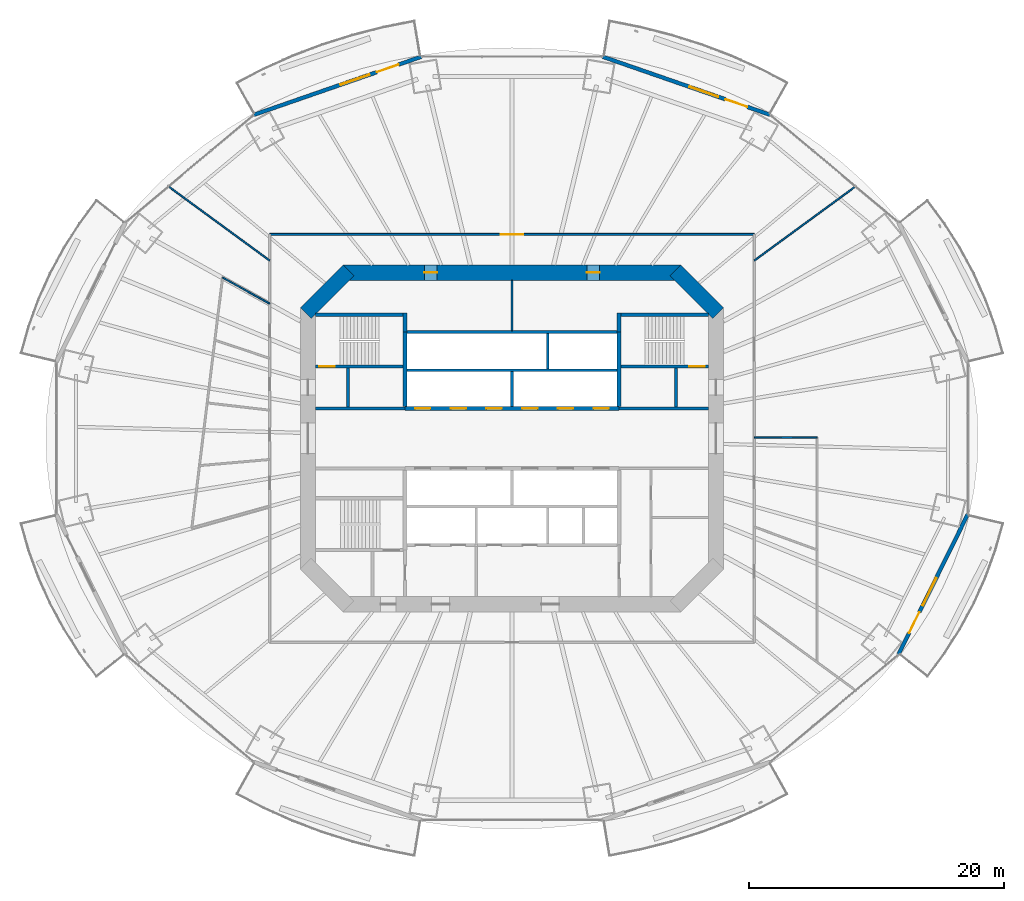
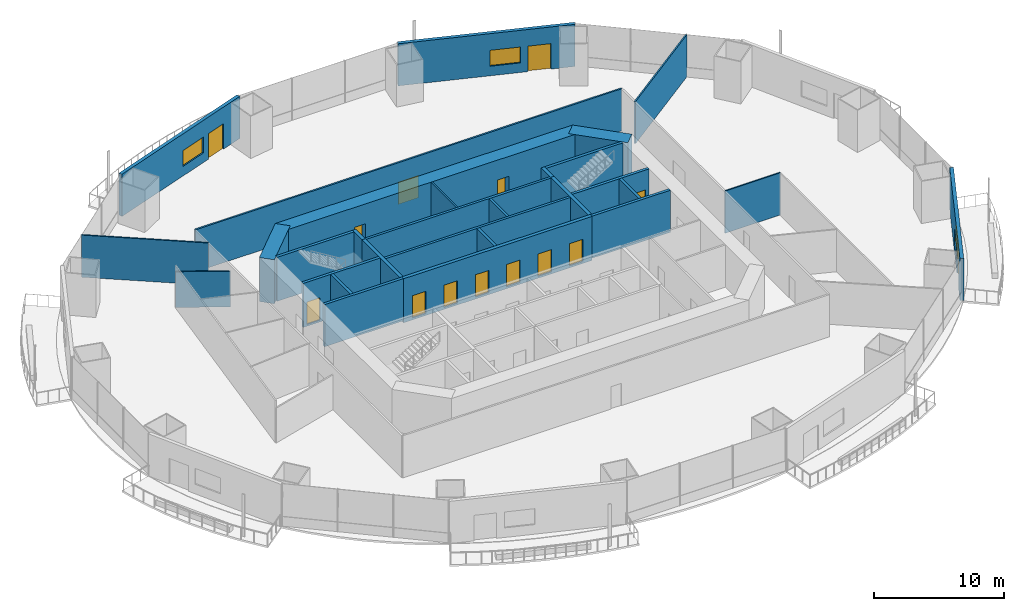
# One storey, part 16 of 23: 29 walls, 14 doors, 3 windows, 17 openings.
"""IFC4 building model written with IfcOpenShell, lengths in metres."""

import ifcopenshell
import ifcopenshell.guid

model = None  # the IFC model being written
_history = None  # IfcOwnerHistory: only IFC2X3 demands one
_inside = {}  # id of a spatial element -> (the spatial element, [elements in it])
_under = {}  # id of a project, library or spatial element -> (it, [spatial elements below it])
_declared = {}  # id of a project -> (the project, [libraries it declares])
_typed = {}  # id of a type object -> (the type object, [elements of that type])
_made_of = {}  # id of a material, layer set ... -> (it, [elements and type objects made of it])


def new_model(schema):
    """Start an empty IFC model of exactly this schema.

    Asked for "IFC4X3", IfcOpenShell would pick the latest addendum, in which some entities
    have other attributes; the version numbers below select the first issue.
    IFC2X3 requires an IfcOwnerHistory on every rooted entity: one is made here for all.
    """
    global model, _history
    if schema == "IFC4X3":
        model = ifcopenshell.file(schema_version=(4, 3, 0, 0))
    else:
        model = ifcopenshell.file(schema=schema)
    _inside.clear()
    _under.clear()
    _declared.clear()
    _typed.clear()
    _made_of.clear()
    _history = None
    if model.schema == "IFC2X3":
        org = make("IfcOrganization", Name="unknown")
        user = make(
            "IfcPersonAndOrganization",
            ThePerson=make("IfcPerson", FamilyName="unknown"),
            TheOrganization=org,
        )
        app = make(
            "IfcApplication",
            ApplicationDeveloper=org,
            Version="unknown",
            ApplicationFullName="unknown",
            ApplicationIdentifier="unknown",
        )
        _history = make(
            "IfcOwnerHistory",
            OwningUser=user,
            OwningApplication=app,
            ChangeAction="ADDED",
            CreationDate=0,
        )
    return model


def make(cls, **values):
    """One entity of the class cls with the attributes given. An attribute that is None is left unset."""
    return model.create_entity(
        cls, **{name: value for name, value in values.items() if value is not None}
    )


def rooted(cls, **values):
    """An entity with a GlobalId (a new one), such as an element, a storey or a relation."""
    return make(cls, GlobalId=ifcopenshell.guid.new(), OwnerHistory=_history, **values)


def si_unit(unit_type, name, prefix=None):
    """IfcSIUnit, for example si_unit("LENGTHUNIT", "METRE", prefix="MILLI")."""
    return make("IfcSIUnit", UnitType=unit_type, Prefix=prefix, Name=name)


def assignment(units):
    """IfcUnitAssignment: the units of a project."""
    return None if units is None else make("IfcUnitAssignment", Units=units)


def point(xyz):
    """IfcCartesianPoint."""
    return None if xyz is None else make("IfcCartesianPoint", Coordinates=xyz)


def direction(xyz):
    """IfcDirection."""
    return None if xyz is None else make("IfcDirection", DirectionRatios=xyz)


def frame(location, z_axis=None, x_axis=None):
    """IfcAxis2Placement3D, a coordinate frame: its origin and axes. An axis left out is left unset."""
    return make(
        "IfcAxis2Placement3D",
        Location=point(location),
        Axis=direction(z_axis),
        RefDirection=direction(x_axis),
    )


def frame_2d(location, x_axis=None):
    """IfcAxis2Placement2D, a coordinate frame in the plane: its origin and x axis."""
    return make(
        "IfcAxis2Placement2D", Location=point(location), RefDirection=direction(x_axis)
    )


def origin():
    """The frame at (0, 0, 0) with its axes left unset."""
    return frame((0.0, 0.0, 0.0))


def place(relative_to, where):
    """IfcLocalPlacement: puts the frame where relative to a parent placement (None: the world)."""
    return make(
        "IfcLocalPlacement", PlacementRelTo=relative_to, RelativePlacement=where
    )


def context(
    kind, dimensions, precision=None, world=None, true_north=None, identifier=None
):
    """IfcGeometricRepresentationContext, for example the 3D "Model" context."""
    return make(
        "IfcGeometricRepresentationContext",
        ContextIdentifier=identifier,
        ContextType=kind,
        CoordinateSpaceDimension=dimensions,
        Precision=precision,
        WorldCoordinateSystem=world,
        TrueNorth=true_north,
    )


def subcontext(parent, identifier, kind, view, scale=None):
    """IfcGeometricRepresentationSubContext, for example "Body" below "Model"."""
    return make(
        "IfcGeometricRepresentationSubContext",
        ContextIdentifier=identifier,
        ContextType=kind,
        ParentContext=parent,
        TargetScale=scale,
        TargetView=view,
    )


def project(units=None, contexts=None):
    """IfcProject with its units and contexts."""
    return rooted(
        "IfcProject",
        Name="project",
        RepresentationContexts=contexts,
        UnitsInContext=assignment(units),
    )


def spatial(cls, under=None, at=None, **own):
    """A site, building, storey or space (cls), placed at a placement, below another one or the project."""
    s = rooted(cls, ObjectPlacement=at, **own)
    if under is not None:
        _under.setdefault(under.id(), (under, []))[1].append(s)
    return s


def profile(cls, at=None, kind="AREA", **sizes):
    """A parametric profile (cls). Its sizes go by their IFC names, for example OverallWidth=200.0."""
    return make(cls, ProfileType=kind, Position=at, **sizes)


def rectangle(**sizes):
    """IfcRectangleProfileDef."""
    return profile("IfcRectangleProfileDef", **sizes)


def extrude(swept, where, along, depth):
    """IfcExtrudedAreaSolid: the profile swept, set in the frame where, extruded along a direction by depth."""
    return make(
        "IfcExtrudedAreaSolid",
        SweptArea=swept,
        Position=where,
        ExtrudedDirection=direction(along),
        Depth=depth,
    )


def shape(context_of_items, identifier, shape_type, items):
    """IfcShapeRepresentation: the items that make up one representation, for example the "Body"."""
    return make(
        "IfcShapeRepresentation",
        ContextOfItems=context_of_items,
        RepresentationIdentifier=identifier,
        RepresentationType=shape_type,
        Items=items,
    )


def material(Name=None, Category=None):
    """IfcMaterial."""
    return make("IfcMaterial", Name=Name, Category=Category)


def layer(
    of_material, thickness, ventilated=None, Name=None, Category=None, Priority=None
):
    """IfcMaterialLayer: one layer of a wall or slab, of a material (None: an air gap)."""
    return make(
        "IfcMaterialLayer",
        Material=of_material,
        LayerThickness=thickness,
        IsVentilated=ventilated,
        Name=Name,
        Category=Category,
        Priority=Priority,
    )


def layer_set(layers, Name=None):
    """IfcMaterialLayerSet."""
    return make("IfcMaterialLayerSet", MaterialLayers=layers, LayerSetName=Name)


def made_of(thing, what):
    """Note that an element or type object is made of a material, layer set ...; save() writes the relation."""
    if what is not None:
        _made_of.setdefault(what.id(), (what, []))[1].append(thing)
    return thing


def type_object(cls, material=None, **own):
    """A type object (cls), such as IfcWallType, which elements share."""
    return made_of(rooted(cls, **own), material)


def element(
    cls,
    number,
    at=None,
    inside=None,
    cuts=None,
    type_object=None,
    material=None,
    context=None,
    identifier="Body",
    shape_type=None,
    held_by="IfcProductDefinitionShape",
    body=None,
    shapes=None,
    **own,
):
    """One element of the class cls, such as IfcWall. Its Tag is "e" and its number.

    at: its placement. inside: the storey or other place that contains it. cuts: it is an
    opening in that element (IfcRelVoidsElement). A single representation is given by context,
    identifier, shape_type and body (its items); several are given by shapes. held_by: the class
    of the entity that holds the representations. save() writes the other relations.
    """
    e = rooted(cls, Tag="e%d" % number, ObjectPlacement=at, **own)
    if body is not None:
        shapes = [shape(context, identifier, shape_type, body)]
    if shapes is not None:
        e.Representation = make(held_by, Representations=shapes)
    if inside is not None:
        _inside.setdefault(inside.id(), (inside, []))[1].append(e)
    if cuts is not None:
        rooted(
            "IfcRelVoidsElement", RelatingBuildingElement=cuts, RelatedOpeningElement=e
        )
    if type_object is not None:
        _typed.setdefault(type_object.id(), (type_object, []))[1].append(e)
    return made_of(e, material)


def fill(opening, filler):
    """IfcRelFillsElement: the door or window that sits in an opening."""
    return rooted(
        "IfcRelFillsElement",
        RelatingOpeningElement=opening,
        RelatedBuildingElement=filler,
    )


def aggregate(whole, parts):
    """IfcRelAggregates: a whole, such as a stair, and the parts it consists of."""
    return rooted("IfcRelAggregates", RelatingObject=whole, RelatedObjects=parts)


def save(model, path):
    """Write the relations noted so far, then the file.

    IfcRelAggregates (storeys below a building ...), IfcRelContainedInSpatialStructure (elements
    in a storey), IfcRelDefinesByType, IfcRelAssociatesMaterial and IfcRelDeclares: one each for
    every whole, place, type object, material and project.
    """
    for whole, parts in _under.values():
        aggregate(whole, parts)
    for where, things in _inside.values():
        rooted(
            "IfcRelContainedInSpatialStructure",
            RelatedElements=things,
            RelatingStructure=where,
        )
    for kind, things in _typed.values():
        rooted("IfcRelDefinesByType", RelatedObjects=things, RelatingType=kind)
    for what, things in _made_of.values():
        rooted("IfcRelAssociatesMaterial", RelatedObjects=things, RelatingMaterial=what)
    for by, libraries in _declared.values():
        rooted("IfcRelDeclares", RelatingContext=by, RelatedDefinitions=libraries)
    model.write(path)


model = new_model("IFC4")

# Units and contexts
model_context = context("Model", 3, precision=1e-05, world=origin(), true_north=direction((0.0, 1.0)))
body_context = subcontext(model_context, "Body", "Model", "MODEL_VIEW")
ifc_project = project(units=[si_unit("LENGTHUNIT", "METRE"), si_unit("AREAUNIT", "SQUARE_METRE"), si_unit("VOLUMEUNIT", "CUBIC_METRE"), si_unit("PLANEANGLEUNIT", "RADIAN"), si_unit("MASSUNIT", "GRAM", prefix="KILO")], contexts=[model_context])

# Site, building, storey
site_placement = place(None, origin())
site = spatial("IfcSite", under=ifc_project, at=site_placement, CompositionType="ELEMENT")
building_placement = place(site_placement, origin())
building = spatial("IfcBuilding", under=site, at=building_placement, Name="Marenthal Gate Tower", CompositionType="ELEMENT")
storey_placement = place(building_placement, frame((0.0, 0.0, 45.449951171875)))
storey = spatial("IfcBuildingStorey", under=building, at=storey_placement, Name="L07", CompositionType="ELEMENT", Elevation=45.449951171875)

# Wall
ifc_material_1 = material(Name="Concrete 60 MPa", Category="concrete")
ifc_layer_1 = layer(ifc_material_1, 1.199951171875)
ifc_layer_set_1 = layer_set([ifc_layer_1], Name="Core shear wall 1200")
wall_type_1 = type_object("IfcWallType", Name="Core shear wall 1200", PredefinedType="SHEAR", material=ifc_layer_set_1)
wall_1_placement = place(storey_placement, frame((16.17578125, 9.82421875, -0.179931640625), z_axis=(0.0, 0.0, 1.0), x_axis=(-0.707106781187, 0.707106781187, 0.0)))
element("IfcWall", 1, at=wall_1_placement, inside=storey, type_object=wall_type_1, Name="Core wall 03", PredefinedType="SHEAR", context=body_context, shape_type="SweptSolid", body=[
    extrude(rectangle(XDim=4.73974609375, YDim=1.199951171875, at=frame_2d((2.369873046875, 0.0))), origin(), (0.0, 0.0, 1.0), 4.14990234375),
])

# Wall, openings, doors
wall_2_placement = place(storey_placement, frame((13.24853515625, 13.0, -0.179931640625), z_axis=(0.0, 0.0, 1.0), x_axis=(-1.0, 0.0, 0.0)))
wall_2 = element("IfcWall", 2, at=wall_2_placement, inside=storey, type_object=wall_type_1, Name="Core wall 04", PredefinedType="SHEAR", context=body_context, shape_type="SweptSolid", body=[
    extrude(rectangle(XDim=26.4970703125, YDim=1.199951171875, at=frame_2d((13.24853515625, 0.0))), origin(), (0.0, 0.0, 1.0), 4.14990234375),
])
opening_1_placement = place(wall_2_placement, frame((19.12451171875, 0.0, 0.179931640625)))
opening_1 = element("IfcOpeningElement", 3, at=opening_1_placement, cuts=wall_2, Name="Opening D005.01", PredefinedType="OPENING", context=body_context, shape_type="SweptSolid", body=[
    extrude(rectangle(XDim=1.0, YDim=2.10009765625, at=frame_2d((0.5, 1.050048828125))), frame((0.0, 0.60986328125, 0.0), z_axis=(0.0, -1.0, 0.0), x_axis=(1.0, 0.0, 0.0)), (0.0, 0.0, 1.0), 1.219970703125),
])
opening_2_placement = place(wall_2_placement, frame((6.37255859375, 0.0, 0.179931640625)))
opening_2 = element("IfcOpeningElement", 4, at=opening_2_placement, cuts=wall_2, Name="Opening D005.02", PredefinedType="OPENING", context=body_context, shape_type="SweptSolid", body=[
    extrude(rectangle(XDim=1.0, YDim=2.10009765625, at=frame_2d((0.5, 1.050048828125))), frame((0.0, 0.60986328125, 0.0), z_axis=(0.0, -1.0, 0.0), x_axis=(1.0, 0.0, 0.0)), (0.0, 0.0, 1.0), 1.219970703125),
])
ifc_material_2 = material(Name="Steel fire door", Category="steel")
door_type_1 = type_object("IfcDoorType", Name="Fire door FD 45 1000 x 2100", OperationType="NOTDEFINED", PredefinedType="DOOR", material=ifc_material_2)
door_1_placement = place(opening_1_placement, origin())
door_1 = element("IfcDoor", 5, at=door_1_placement, inside=storey, type_object=door_type_1, Name="Door D005.01", OperationType="SINGLE_SWING_RIGHT", OverallHeight=2.10009765625, OverallWidth=1.0, PredefinedType="DOOR", context=body_context, shape_type="SweptSolid", body=[
    extrude(rectangle(XDim=1.0, YDim=2.10009765625, at=frame_2d((0.5, 1.050048828125))), frame((0.0, 0.02490234375, 0.0), z_axis=(0.0, -1.0, 0.0), x_axis=(1.0, 0.0, 0.0)), (0.0, 0.0, 1.0), 0.050048828125),
])
fill(opening_1, door_1)
door_2_placement = place(opening_2_placement, origin())
door_2 = element("IfcDoor", 6, at=door_2_placement, inside=storey, type_object=door_type_1, Name="Door D005.02", OperationType="SINGLE_SWING_RIGHT", OverallHeight=2.10009765625, OverallWidth=1.0, PredefinedType="DOOR", context=body_context, shape_type="SweptSolid", body=[
    extrude(rectangle(XDim=1.0, YDim=2.10009765625, at=frame_2d((0.5, 1.050048828125))), frame((0.0, 0.02490234375, 0.0), z_axis=(0.0, -1.0, 0.0), x_axis=(1.0, 0.0, 0.0)), (0.0, 0.0, 1.0), 0.050048828125),
])
fill(opening_2, door_2)

# Wall
wall_3_placement = place(storey_placement, frame((-12.82421875, 13.17578125, -0.179931640625), z_axis=(0.0, 0.0, 1.0), x_axis=(-0.707106781187, -0.707106781187, 0.0)))
element("IfcWall", 7, at=wall_3_placement, inside=storey, type_object=wall_type_1, Name="Core wall 05", PredefinedType="SHEAR", context=body_context, shape_type="SweptSolid", body=[
    extrude(rectangle(XDim=4.73974609375, YDim=1.199951171875, at=frame_2d((2.369873046875, 0.0))), origin(), (0.0, 0.0, 1.0), 4.14990234375),
])

# Wall, openings, doors
ifc_material_3 = material(Name="Concrete 50 MPa", Category="concrete")
ifc_layer_2 = layer(ifc_material_3, 0.300048828125)
ifc_layer_set_2 = layer_set([ifc_layer_2], Name="Hoistway shear wall 300")
wall_type_2 = type_object("IfcWallType", Name="Hoistway shear wall 300", PredefinedType="SHEAR", material=ifc_layer_set_2)
wall_4_placement = place(storey_placement, frame((-8.39990234375, 2.35009765625, -0.179931640625), z_axis=(0.0, 0.0, 1.0), x_axis=(1.0, 0.0, 0.0)))
wall_4 = element("IfcWall", 8, at=wall_4_placement, inside=storey, type_object=wall_type_2, Name="Hoistway wall 19", PredefinedType="SHEAR", context=body_context, shape_type="SweptSolid", body=[
    extrude(rectangle(XDim=16.7998046875, YDim=0.300048828125, at=frame_2d((8.39990234375, 0.0))), origin(), (0.0, 0.0, 1.0), 4.14990234375),
])
opening_3_placement = place(wall_4_placement, frame((0.800048828125, 0.0, 0.179931640625)))
opening_3 = element("IfcOpeningElement", 9, at=opening_3_placement, cuts=wall_4, Name="Opening LD-LP1", PredefinedType="OPENING", context=body_context, shape_type="SweptSolid", body=[
    extrude(rectangle(XDim=1.199951171875, YDim=2.10009765625, at=frame_2d((0.60009765625, 1.050048828125))), frame((0.0, 0.16015625, 0.0), z_axis=(0.0, -1.0, 0.0), x_axis=(1.0, 0.0, 0.0)), (0.0, 0.0, 1.0), 0.320068359375),
])
opening_4_placement = place(wall_4_placement, frame((3.60009765625, 0.0, 0.179931640625)))
opening_4 = element("IfcOpeningElement", 10, at=opening_4_placement, cuts=wall_4, Name="Opening LD-LP2", PredefinedType="OPENING", context=body_context, shape_type="SweptSolid", body=[
    extrude(rectangle(XDim=1.199951171875, YDim=2.10009765625, at=frame_2d((0.60009765625, 1.050048828125))), frame((0.0, 0.16015625, 0.0), z_axis=(0.0, -1.0, 0.0), x_axis=(1.0, 0.0, 0.0)), (0.0, 0.0, 1.0), 0.320068359375),
])
opening_5_placement = place(wall_4_placement, frame((6.39990234375, 0.0, 0.179931640625)))
opening_5 = element("IfcOpeningElement", 11, at=opening_5_placement, cuts=wall_4, Name="Opening LD-LP3", PredefinedType="OPENING", context=body_context, shape_type="SweptSolid", body=[
    extrude(rectangle(XDim=1.199951171875, YDim=2.10009765625, at=frame_2d((0.60009765625, 1.050048828125))), frame((0.0, 0.16015625, 0.0), z_axis=(0.0, -1.0, 0.0), x_axis=(1.0, 0.0, 0.0)), (0.0, 0.0, 1.0), 0.320068359375),
])
opening_6_placement = place(wall_4_placement, frame((9.199951171875, 0.0, 0.179931640625)))
opening_6 = element("IfcOpeningElement", 12, at=opening_6_placement, cuts=wall_4, Name="Opening LD-LP4", PredefinedType="OPENING", context=body_context, shape_type="SweptSolid", body=[
    extrude(rectangle(XDim=1.199951171875, YDim=2.10009765625, at=frame_2d((0.60009765625, 1.050048828125))), frame((0.0, 0.16015625, 0.0), z_axis=(0.0, -1.0, 0.0), x_axis=(1.0, 0.0, 0.0)), (0.0, 0.0, 1.0), 0.320068359375),
])
opening_7_placement = place(wall_4_placement, frame((12.0, 0.0, 0.179931640625)))
opening_7 = element("IfcOpeningElement", 13, at=opening_7_placement, cuts=wall_4, Name="Opening LD-LP5", PredefinedType="OPENING", context=body_context, shape_type="SweptSolid", body=[
    extrude(rectangle(XDim=1.199951171875, YDim=2.10009765625, at=frame_2d((0.60009765625, 1.050048828125))), frame((0.0, 0.16015625, 0.0), z_axis=(0.0, -1.0, 0.0), x_axis=(1.0, 0.0, 0.0)), (0.0, 0.0, 1.0), 0.320068359375),
])
opening_8_placement = place(wall_4_placement, frame((14.800048828125, 0.0, 0.179931640625)))
opening_8 = element("IfcOpeningElement", 14, at=opening_8_placement, cuts=wall_4, Name="Opening LD-LP6", PredefinedType="OPENING", context=body_context, shape_type="SweptSolid", body=[
    extrude(rectangle(XDim=1.199951171875, YDim=2.10009765625, at=frame_2d((0.60009765625, 1.050048828125))), frame((0.0, 0.16015625, 0.0), z_axis=(0.0, -1.0, 0.0), x_axis=(1.0, 0.0, 0.0)), (0.0, 0.0, 1.0), 0.320068359375),
])
ifc_material_4 = material(Name="Stainless steel sliding door", Category="steel")
door_type_2 = type_object("IfcDoorType", Name="Lift landing door FD 90 1200 x 2100", OperationType="DOUBLE_DOOR_SLIDING", PredefinedType="DOOR", material=ifc_material_4)
door_3_placement = place(opening_3_placement, origin())
door_3 = element("IfcDoor", 15, at=door_3_placement, inside=storey, type_object=door_type_2, Name="Lift landing door LP1", OperationType="DOUBLE_DOOR_SLIDING", OverallHeight=2.10009765625, OverallWidth=1.199951171875, PredefinedType="DOOR", context=body_context, shape_type="SweptSolid", body=[
    extrude(rectangle(XDim=1.199951171875, YDim=2.10009765625, at=frame_2d((0.60009765625, 1.050048828125))), frame((0.0, 0.02490234375, 0.0), z_axis=(0.0, -1.0, 0.0), x_axis=(1.0, 0.0, 0.0)), (0.0, 0.0, 1.0), 0.050048828125),
])
fill(opening_3, door_3)
door_4_placement = place(opening_4_placement, origin())
door_4 = element("IfcDoor", 16, at=door_4_placement, inside=storey, type_object=door_type_2, Name="Lift landing door LP2", OperationType="DOUBLE_DOOR_SLIDING", OverallHeight=2.10009765625, OverallWidth=1.199951171875, PredefinedType="DOOR", context=body_context, shape_type="SweptSolid", body=[
    extrude(rectangle(XDim=1.199951171875, YDim=2.10009765625, at=frame_2d((0.60009765625, 1.050048828125))), frame((0.0, 0.02490234375, 0.0), z_axis=(0.0, -1.0, 0.0), x_axis=(1.0, 0.0, 0.0)), (0.0, 0.0, 1.0), 0.050048828125),
])
fill(opening_4, door_4)
door_5_placement = place(opening_5_placement, origin())
door_5 = element("IfcDoor", 17, at=door_5_placement, inside=storey, type_object=door_type_2, Name="Lift landing door LP3", OperationType="DOUBLE_DOOR_SLIDING", OverallHeight=2.10009765625, OverallWidth=1.199951171875, PredefinedType="DOOR", context=body_context, shape_type="SweptSolid", body=[
    extrude(rectangle(XDim=1.199951171875, YDim=2.10009765625, at=frame_2d((0.60009765625, 1.050048828125))), frame((0.0, 0.02490234375, 0.0), z_axis=(0.0, -1.0, 0.0), x_axis=(1.0, 0.0, 0.0)), (0.0, 0.0, 1.0), 0.050048828125),
])
fill(opening_5, door_5)
door_6_placement = place(opening_6_placement, origin())
door_6 = element("IfcDoor", 18, at=door_6_placement, inside=storey, type_object=door_type_2, Name="Lift landing door LP4", OperationType="DOUBLE_DOOR_SLIDING", OverallHeight=2.10009765625, OverallWidth=1.199951171875, PredefinedType="DOOR", context=body_context, shape_type="SweptSolid", body=[
    extrude(rectangle(XDim=1.199951171875, YDim=2.10009765625, at=frame_2d((0.60009765625, 1.050048828125))), frame((0.0, 0.02490234375, 0.0), z_axis=(0.0, -1.0, 0.0), x_axis=(1.0, 0.0, 0.0)), (0.0, 0.0, 1.0), 0.050048828125),
])
fill(opening_6, door_6)
door_7_placement = place(opening_7_placement, origin())
door_7 = element("IfcDoor", 19, at=door_7_placement, inside=storey, type_object=door_type_2, Name="Lift landing door LP5", OperationType="DOUBLE_DOOR_SLIDING", OverallHeight=2.10009765625, OverallWidth=1.199951171875, PredefinedType="DOOR", context=body_context, shape_type="SweptSolid", body=[
    extrude(rectangle(XDim=1.199951171875, YDim=2.10009765625, at=frame_2d((0.60009765625, 1.050048828125))), frame((0.0, 0.02490234375, 0.0), z_axis=(0.0, -1.0, 0.0), x_axis=(1.0, 0.0, 0.0)), (0.0, 0.0, 1.0), 0.050048828125),
])
fill(opening_7, door_7)
door_8_placement = place(opening_8_placement, origin())
door_8 = element("IfcDoor", 20, at=door_8_placement, inside=storey, type_object=door_type_2, Name="Lift landing door LP6", OperationType="DOUBLE_DOOR_SLIDING", OverallHeight=2.10009765625, OverallWidth=1.199951171875, PredefinedType="DOOR", context=body_context, shape_type="SweptSolid", body=[
    extrude(rectangle(XDim=1.199951171875, YDim=2.10009765625, at=frame_2d((0.60009765625, 1.050048828125))), frame((0.0, 0.02490234375, 0.0), z_axis=(0.0, -1.0, 0.0), x_axis=(1.0, 0.0, 0.0)), (0.0, 0.0, 1.0), 0.050048828125),
])
fill(opening_8, door_8)

# Walls
for number, where, z_axis, x_axis, name in (
    (21, (-8.39990234375, 2.5, -0.179931640625), (0.0, 0.0, 1.0), (0.0, 1.0, 0.0), "Hoistway wall 31"),
    (22, (8.39990234375, 2.5, -0.179931640625), (0.0, 0.0, 1.0), (0.0, 1.0, 0.0), "Hoistway wall 43"),
):
    element("IfcWall", number, at=place(storey_placement, frame(where, z_axis=z_axis, x_axis=x_axis)), inside=storey, type_object=wall_type_2, Name=name, PredefinedType="SHEAR", context=body_context, shape_type="SweptSolid", body=[
        extrude(rectangle(XDim=5.85009765625, YDim=0.300048828125, at=frame_2d((2.925048828125, 0.0))), origin(), (0.0, 0.0, 1.0), 4.14990234375),
    ])
ifc_material_5 = material(Name="Concrete 40 MPa", Category="concrete")
ifc_layer_3 = layer(ifc_material_5, 0.219970703125)
ifc_layer_set_3 = layer_set([ifc_layer_3], Name="Hoistway wall 220")
wall_type_3 = type_object("IfcWallType", Name="Hoistway wall 220", PredefinedType="STANDARD", material=ifc_layer_set_3)
for number, where, z_axis, x_axis, name in (
    (23, (-8.25, 5.35009765625, 0.0), (0.0, 0.0, 1.0), (1.0, 0.0, 0.0), "Hoistway wall 21"),
    (24, (-8.25, 8.35009765625, 0.0), (0.0, 0.0, 1.0), (1.0, 0.0, 0.0), "Hoistway wall 24"),
):
    element("IfcWall", number, at=place(storey_placement, frame(where, z_axis=z_axis, x_axis=x_axis)), inside=storey, type_object=wall_type_3, Name=name, PredefinedType="STANDARD", context=body_context, shape_type="SweptSolid", body=[
        extrude(rectangle(XDim=16.5, YDim=0.219970703125, at=frame_2d((8.25, 0.0))), origin(), (0.0, 0.0, 1.0), 3.969970703125),
    ])
wall_5_placement = place(storey_placement, frame((0.0, 2.5, 0.0), z_axis=(0.0, 0.0, 1.0), x_axis=(0.0, 1.0, 0.0)))
element("IfcWall", 25, at=wall_5_placement, inside=storey, type_object=wall_type_3, Name="Hoistway wall 36", PredefinedType="STANDARD", context=body_context, shape_type="SweptSolid", body=[
    extrude(rectangle(XDim=2.739990234375, YDim=0.219970703125, at=frame_2d((1.3701171875, 0.0))), origin(), (0.0, 0.0, 1.0), 3.969970703125),
])
wall_6_placement = place(storey_placement, frame((2.800048828125, 5.4599609375, 0.0), z_axis=(0.0, 0.0, 1.0), x_axis=(0.0, 1.0, 0.0)))
element("IfcWall", 26, at=wall_6_placement, inside=storey, type_object=wall_type_3, Name="Hoistway wall 39", PredefinedType="STANDARD", context=body_context, shape_type="SweptSolid", body=[
    extrude(rectangle(XDim=2.780029296875, YDim=0.219970703125, at=frame_2d((1.39013671875, 0.0))), origin(), (0.0, 0.0, 1.0), 3.969970703125),
])
ifc_material_6 = material(Name="Gypsum board on steel studs", Category="steel")
ifc_layer_4 = layer(ifc_material_6, 0.1201171875)
ifc_layer_set_4 = layer_set([ifc_layer_4], Name="Partition 120")
wall_type_4 = type_object("IfcWallType", Name="Partition 120", PredefinedType="PARTITIONING", material=ifc_layer_set_4)
wall_7_placement = place(storey_placement, frame((-22.6953125, 12.618896484375, 0.0), z_axis=(0.0, 0.0, 1.0), x_axis=(0.87398290434, -0.485956667741, 0.0)))
element("IfcWall", 27, at=wall_7_placement, inside=storey, type_object=wall_type_4, Name="Partition wall 51", PredefinedType="PARTITIONING", context=body_context, shape_type="SweptSolid", body=[
    extrude(rectangle(XDim=4.22802734375, YDim=0.1201171875, at=frame_2d((2.114013671875, 0.0))), origin(), (0.0, 0.0, 1.0), 3.358154296875),
])
wall_8_placement = place(storey_placement, frame((-19.0, 13.941162109375, 0.0), z_axis=(0.0, 0.0, 1.0), x_axis=(-0.806231534746, 0.591600128787, 0.0)))
element("IfcWall", 28, at=wall_8_placement, inside=storey, type_object=wall_type_4, Name="Partition wall 54", PredefinedType="PARTITIONING", context=body_context, shape_type="SweptSolid", body=[
    extrude(rectangle(XDim=9.84619140625, YDim=0.1201171875, at=frame_2d((4.923095703125, 0.0))), origin(), (0.0, 0.0, 1.0), 3.969970703125),
])
wall_9_placement = place(storey_placement, frame((19.0, 13.94140625, 0.0), z_axis=(0.0, 0.0, 1.0), x_axis=(0.806243361472, 0.59158401101, 0.0)))
element("IfcWall", 29, at=wall_9_placement, inside=storey, type_object=wall_type_4, Name="Partition wall 58", PredefinedType="PARTITIONING", context=body_context, shape_type="SweptSolid", body=[
    extrude(rectangle(XDim=9.845947265625, YDim=0.1201171875, at=frame_2d((4.9228515625, 0.0))), origin(), (0.0, 0.0, 1.0), 3.969970703125),
])
wall_10_placement = place(storey_placement, frame((23.921630859375, 0.078125, 0.0), z_axis=(0.0, 0.0, 1.0), x_axis=(-0.999994640597, -0.003273954377, 0.0)))
element("IfcWall", 30, at=wall_10_placement, inside=storey, type_object=wall_type_4, Name="Partition wall 62", PredefinedType="PARTITIONING", context=body_context, shape_type="SweptSolid", body=[
    extrude(rectangle(XDim=4.921630859375, YDim=0.1201171875, at=frame_2d((2.4609375, 0.0))), origin(), (0.0, 0.0, 1.0), 3.969970703125),
])
ifc_material_7 = material(Name="Gypsum board on steel studs", Category="steel")
ifc_layer_5 = layer(ifc_material_7, 0.14990234375)
ifc_layer_set_5 = layer_set([ifc_layer_5], Name="Partition 150")
wall_type_5 = type_object("IfcWallType", Name="Partition 150", PredefinedType="PARTITIONING", material=ifc_layer_set_5)
wall_11_placement = place(storey_placement, frame((0.0, 8.4599609375, 0.0), z_axis=(0.0, 0.0, 1.0), x_axis=(0.0, 1.0, 0.0)))
element("IfcWall", 31, at=wall_11_placement, inside=storey, type_object=wall_type_5, Name="Partition wall 37", PredefinedType="PARTITIONING", context=body_context, shape_type="SweptSolid", body=[
    extrude(rectangle(XDim=3.93994140625, YDim=0.14990234375, at=frame_2d((1.969970703125, 0.0))), origin(), (0.0, 0.0, 1.0), 3.969970703125),
])

# Wall, opening, door
wall_12_placement = place(storey_placement, frame((-19.0, 16.0, 0.0), z_axis=(0.0, 0.0, 1.0), x_axis=(1.0, 0.0, 0.0)))
wall_12 = element("IfcWall", 32, at=wall_12_placement, inside=storey, type_object=wall_type_5, Name="Partition wall 55", PredefinedType="PARTITIONING", context=body_context, shape_type="SweptSolid", body=[
    extrude(rectangle(XDim=38.0, YDim=0.14990234375, at=frame_2d((19.0, 0.0))), origin(), (0.0, 0.0, 1.0), 3.969970703125),
])
opening_9_placement = place(wall_12_placement, frame((18.10009765625, 0.0, 0.0)))
opening_9 = element("IfcOpeningElement", 33, at=opening_9_placement, cuts=wall_12, Name="Opening D014.01", PredefinedType="OPENING", context=body_context, shape_type="SweptSolid", body=[
    extrude(rectangle(XDim=1.800048828125, YDim=2.10009765625, at=frame_2d((0.89990234375, 1.050048828125))), frame((0.0, 0.0849609375, 0.0), z_axis=(0.0, -1.0, 0.0), x_axis=(1.0, 0.0, 0.0)), (0.0, 0.0, 1.0), 0.169921875),
])
ifc_material_8 = material(Name="Timber door", Category="wood")
door_type_3 = type_object("IfcDoorType", Name="Double door 1800 x 2100", OperationType="DOUBLE_DOOR_SINGLE_SWING", PredefinedType="DOOR", material=ifc_material_8)
door_9_placement = place(opening_9_placement, origin())
door_9 = element("IfcDoor", 34, at=door_9_placement, inside=storey, type_object=door_type_3, Name="Door D014.01", OperationType="DOUBLE_DOOR_SINGLE_SWING", OverallHeight=2.10009765625, OverallWidth=1.800048828125, PredefinedType="DOOR", context=body_context, shape_type="SweptSolid", body=[
    extrude(rectangle(XDim=1.800048828125, YDim=2.10009765625, at=frame_2d((0.89990234375, 1.050048828125))), frame((0.0, 0.02490234375, 0.0), z_axis=(0.0, -1.0, 0.0), x_axis=(1.0, 0.0, 0.0)), (0.0, 0.0, 1.0), 0.050048828125),
])
fill(opening_9, door_9)

# Walls
ifc_material_9 = material(Name="Concrete 40 MPa", Category="concrete")
ifc_layer_6 = layer(ifc_material_9, 0.25)
ifc_layer_set_6 = layer_set([ifc_layer_6], Name="Stair enclosure wall 250")
wall_type_6 = type_object("IfcWallType", Name="Stair enclosure wall 250", PredefinedType="STANDARD", material=ifc_layer_set_6)
for number, where, z_axis, x_axis, name in (
    (35, (-15.39990234375, 2.35009765625, 0.0), (0.0, 0.0, 1.0), (1.0, 0.0, 0.0), "Stair wall 18"),
    (36, (8.39990234375, 2.35009765625, 0.0), (0.0, 0.0, 1.0), (1.0, 0.0, 0.0), "Stair wall 20"),
):
    element("IfcWall", number, at=place(storey_placement, frame(where, z_axis=z_axis, x_axis=x_axis)), inside=storey, type_object=wall_type_6, Name=name, PredefinedType="STANDARD", context=body_context, shape_type="SweptSolid", body=[
        extrude(rectangle(XDim=7.0, YDim=0.25, at=frame_2d((3.5, 0.0))), origin(), (0.0, 0.0, 1.0), 3.969970703125),
    ])
for number, where, z_axis, x_axis, name in (
    (37, (-12.85009765625, 2.47509765625, 0.0), (0.0, 0.0, 1.0), (0.0, 1.0, 0.0), "Stair wall 27"),
    (38, (12.85009765625, 2.47509765625, 0.0), (0.0, 0.0, 1.0), (0.0, 1.0, 0.0), "Stair wall 46"),
):
    element("IfcWall", number, at=place(storey_placement, frame(where, z_axis=z_axis, x_axis=x_axis)), inside=storey, type_object=wall_type_6, Name=name, PredefinedType="STANDARD", context=body_context, shape_type="SweptSolid", body=[
        extrude(rectangle(XDim=3.0498046875, YDim=0.25, at=frame_2d((1.52490234375, 0.0))), origin(), (0.0, 0.0, 1.0), 3.969970703125),
    ])

# Wall, opening, door
ifc_material_10 = material(Name="Concrete 50 MPa", Category="concrete")
ifc_layer_7 = layer(ifc_material_10, 0.25)
ifc_layer_set_7 = layer_set([ifc_layer_7], Name="Stair shear wall 250")
wall_type_7 = type_object("IfcWallType", Name="Stair shear wall 250", PredefinedType="SHEAR", material=ifc_layer_set_7)
wall_13_placement = place(storey_placement, frame((-15.39990234375, 5.64990234375, -0.179931640625), z_axis=(0.0, 0.0, 1.0), x_axis=(1.0, 0.0, 0.0)))
wall_13 = element("IfcWall", 39, at=wall_13_placement, inside=storey, type_object=wall_type_7, Name="Stair wall 22", PredefinedType="SHEAR", context=body_context, shape_type="SweptSolid", body=[
    extrude(rectangle(XDim=6.849853515625, YDim=0.25, at=frame_2d((3.4248046875, 0.0))), origin(), (0.0, 0.0, 1.0), 4.14990234375),
])
opening_10_placement = place(wall_13_placement, frame((0.300048828125, 0.0, 0.179931640625)))
opening_10 = element("IfcOpeningElement", 40, at=opening_10_placement, cuts=wall_13, Name="Opening D001.01", PredefinedType="OPENING", context=body_context, shape_type="SweptSolid", body=[
    extrude(rectangle(XDim=1.199951171875, YDim=2.10009765625, at=frame_2d((0.60009765625, 1.050048828125))), frame((0.0, 0.135009765625, 0.0), z_axis=(0.0, -1.0, 0.0), x_axis=(1.0, 0.0, 0.0)), (0.0, 0.0, 1.0), 0.27001953125),
])
ifc_material_11 = material(Name="Steel fire door", Category="steel")
door_type_4 = type_object("IfcDoorType", Name="Fire door FD 90 1200 x 2100", OperationType="NOTDEFINED", PredefinedType="DOOR", material=ifc_material_11)
door_10_placement = place(opening_10_placement, origin())
door_10 = element("IfcDoor", 41, at=door_10_placement, inside=storey, type_object=door_type_4, Name="Door D001.01", OperationType="SINGLE_SWING_RIGHT", OverallHeight=2.10009765625, OverallWidth=1.199951171875, PredefinedType="DOOR", context=body_context, shape_type="SweptSolid", body=[
    extrude(rectangle(XDim=1.199951171875, YDim=2.10009765625, at=frame_2d((0.60009765625, 1.050048828125))), frame((0.0, 0.02490234375, 0.0), z_axis=(0.0, -1.0, 0.0), x_axis=(1.0, 0.0, 0.0)), (0.0, 0.0, 1.0), 0.050048828125),
])
fill(opening_10, door_10)

wall_14_placement = place(storey_placement, frame((8.550048828125, 5.64990234375, -0.179931640625), z_axis=(0.0, 0.0, 1.0), x_axis=(1.0, 0.0, 0.0)))
wall_14 = element("IfcWall", 42, at=wall_14_placement, inside=storey, type_object=wall_type_7, Name="Stair wall 23", PredefinedType="SHEAR", context=body_context, shape_type="SweptSolid", body=[
    extrude(rectangle(XDim=6.849853515625, YDim=0.25, at=frame_2d((3.4248046875, 0.0))), origin(), (0.0, 0.0, 1.0), 4.14990234375),
])
opening_11_placement = place(wall_14_placement, frame((5.35009765625, 0.0, 0.179931640625)))
opening_11 = element("IfcOpeningElement", 43, at=opening_11_placement, cuts=wall_14, Name="Opening D001.02", PredefinedType="OPENING", context=body_context, shape_type="SweptSolid", body=[
    extrude(rectangle(XDim=1.199951171875, YDim=2.10009765625, at=frame_2d((0.60009765625, 1.050048828125))), frame((0.0, 0.135009765625, 0.0), z_axis=(0.0, -1.0, 0.0), x_axis=(1.0, 0.0, 0.0)), (0.0, 0.0, 1.0), 0.27001953125),
])
door_11_placement = place(opening_11_placement, origin())
door_11 = element("IfcDoor", 44, at=door_11_placement, inside=storey, type_object=door_type_4, Name="Door D001.02", OperationType="SINGLE_SWING_RIGHT", OverallHeight=2.10009765625, OverallWidth=1.199951171875, PredefinedType="DOOR", context=body_context, shape_type="SweptSolid", body=[
    extrude(rectangle(XDim=1.199951171875, YDim=2.10009765625, at=frame_2d((0.60009765625, 1.050048828125))), frame((0.0, 0.02490234375, 0.0), z_axis=(0.0, -1.0, 0.0), x_axis=(1.0, 0.0, 0.0)), (0.0, 0.0, 1.0), 0.050048828125),
])
fill(opening_11, door_11)

# Walls
for number, where, z_axis, x_axis, name in (
    (45, (-15.39990234375, 9.699951171875, -0.179931640625), (0.0, 0.0, 1.0), (1.0, 0.0, 0.0), "Stair wall 25"),
    (46, (8.550048828125, 9.699951171875, -0.179931640625), (0.0, 0.0, 1.0), (1.0, 0.0, 0.0), "Stair wall 26"),
):
    element("IfcWall", number, at=place(storey_placement, frame(where, z_axis=z_axis, x_axis=x_axis)), inside=storey, type_object=wall_type_7, Name=name, PredefinedType="SHEAR", context=body_context, shape_type="SweptSolid", body=[
        extrude(rectangle(XDim=6.849853515625, YDim=0.25, at=frame_2d((3.4248046875, 0.0))), origin(), (0.0, 0.0, 1.0), 4.14990234375),
    ])
ifc_material_12 = material(Name="Concrete 50 MPa", Category="concrete")
ifc_layer_8 = layer(ifc_material_12, 0.300048828125)
ifc_layer_set_8 = layer_set([ifc_layer_8], Name="Stair shear wall 300")
wall_type_8 = type_object("IfcWallType", Name="Stair shear wall 300", PredefinedType="SHEAR", material=ifc_layer_set_8)
for number, where, z_axis, x_axis, name in (
    (47, (-8.39990234375, 8.35009765625, -0.179931640625), (0.0, 0.0, 1.0), (0.0, 1.0, 0.0), "Stair wall 32"),
    (48, (8.39990234375, 8.35009765625, -0.179931640625), (0.0, 0.0, 1.0), (0.0, 1.0, 0.0), "Stair wall 44"),
):
    element("IfcWall", number, at=place(storey_placement, frame(where, z_axis=z_axis, x_axis=x_axis)), inside=storey, type_object=wall_type_8, Name=name, PredefinedType="SHEAR", context=body_context, shape_type="SweptSolid", body=[
        extrude(rectangle(XDim=1.474853515625, YDim=0.300048828125, at=frame_2d((0.7373046875, 0.0))), origin(), (0.0, 0.0, 1.0), 4.14990234375),
    ])

# Wall, openings, door, window
ifc_material_13 = material(Name="Terracotta cladding on insulated concrete-block backing", Category="masonry")
ifc_layer_9 = layer(ifc_material_13, 0.300048828125)
ifc_layer_set_9 = layer_set([ifc_layer_9], Name="Terracotta facade wall 300")
wall_type_9 = type_object("IfcWallType", Name="Terracotta facade wall 300", PredefinedType="SOLIDWALL", material=ifc_layer_set_9)
wall_15_placement = place(storey_placement, frame((20.243896484375, 25.372314453125, 0.0), z_axis=(0.0, 0.0, 1.0), x_axis=(-0.944772924092, 0.327725680873, 0.0)))
wall_15 = element("IfcWall", 49, at=wall_15_placement, inside=storey, type_object=wall_type_9, Name="Terracotta facade wall L07 bay 3", PredefinedType="SOLIDWALL", context=body_context, shape_type="SweptSolid", body=[
    extrude(rectangle(XDim=13.903076171875, YDim=0.300048828125, at=frame_2d((6.95166015625, 0.0))), origin(), (0.0, 0.0, 1.0), 3.969970703125),
])
opening_12_placement = place(wall_15_placement, frame((1.89990234375, 0.0, 0.0)))
opening_12 = element("IfcOpeningElement", 50, at=opening_12_placement, cuts=wall_15, Name="Opening BD-L07-03", PredefinedType="OPENING", context=body_context, shape_type="SweptSolid", body=[
    extrude(rectangle(XDim=1.800048828125, YDim=2.39990234375, at=frame_2d((0.89990234375, 1.199951171875))), frame((0.0, 0.16015625, 0.0), z_axis=(0.0, -1.0, 0.0), x_axis=(1.0, 0.0, 0.0)), (0.0, 0.0, 1.0), 0.320068359375),
])
opening_13_placement = place(wall_15_placement, frame((4.300048828125, 0.0, 0.89990234375)))
opening_13 = element("IfcOpeningElement", 51, at=opening_13_placement, cuts=wall_15, Name="Opening WN1-L07-03", PredefinedType="OPENING", context=body_context, shape_type="SweptSolid", body=[
    extrude(rectangle(XDim=2.39990234375, YDim=1.5, at=frame_2d((1.199951171875, 0.75))), frame((0.0, 0.16015625, 0.0), z_axis=(0.0, -1.0, 0.0), x_axis=(1.0, 0.0, 0.0)), (0.0, 0.0, 1.0), 0.320068359375),
])
ifc_material_14 = material(Name="Aluminium and glass", Category="aluminium")
door_type_5 = type_object("IfcDoorType", Name="Balcony door 1800x2400", OperationType="DOUBLE_DOOR_SINGLE_SWING", PredefinedType="DOOR", material=ifc_material_14)
door_12_placement = place(opening_12_placement, origin())
door_12 = element("IfcDoor", 52, at=door_12_placement, inside=storey, type_object=door_type_5, Name="Balcony door L07 bay 3", OperationType="SINGLE_SWING_LEFT", OverallHeight=2.39990234375, OverallWidth=1.800048828125, PredefinedType="DOOR", context=body_context, shape_type="SweptSolid", body=[
    extrude(rectangle(XDim=1.800048828125, YDim=2.39990234375, at=frame_2d((0.89990234375, 1.199951171875))), frame((0.0, 0.02490234375, 0.0), z_axis=(0.0, -1.0, 0.0), x_axis=(1.0, 0.0, 0.0)), (0.0, 0.0, 1.0), 0.050048828125),
])
fill(opening_12, door_12)
ifc_material_15 = material(Name="Aluminium and glass", Category="aluminium")
window_type = type_object("IfcWindowType", Name="Window 2400x1500", PartitioningType="TRIPLE_PANEL_VERTICAL", PredefinedType="WINDOW", material=ifc_material_15)
window_1_placement = place(opening_13_placement, origin())
window_1 = element("IfcWindow", 53, at=window_1_placement, inside=storey, type_object=window_type, Name="Window L07 bay 3", OverallHeight=1.5, OverallWidth=2.39990234375, PartitioningType="SINGLE_PANEL", PredefinedType="WINDOW", context=body_context, shape_type="SweptSolid", body=[
    extrude(rectangle(XDim=2.39990234375, YDim=1.5, at=frame_2d((1.199951171875, 0.75))), frame((0.0, 0.030029296875, 0.0), z_axis=(0.0, -1.0, 0.0), x_axis=(1.0, 0.0, 0.0)), (0.0, 0.0, 1.0), 0.06005859375),
])
fill(opening_13, window_1)

wall_16_placement = place(storey_placement, frame((-7.108642578125, 29.9287109375, 0.0), z_axis=(0.0, 0.0, 1.0), x_axis=(-0.944772924092, -0.327725680873, 0.0)))
wall_16 = element("IfcWall", 54, at=wall_16_placement, inside=storey, type_object=wall_type_9, Name="Terracotta facade wall L07 bay 5", PredefinedType="SOLIDWALL", context=body_context, shape_type="SweptSolid", body=[
    extrude(rectangle(XDim=13.903076171875, YDim=0.300048828125, at=frame_2d((6.95166015625, 0.0))), origin(), (0.0, 0.0, 1.0), 3.969970703125),
])
opening_14_placement = place(wall_16_placement, frame((1.89990234375, 0.0, 0.0)))
opening_14 = element("IfcOpeningElement", 55, at=opening_14_placement, cuts=wall_16, Name="Opening BD-L07-05", PredefinedType="OPENING", context=body_context, shape_type="SweptSolid", body=[
    extrude(rectangle(XDim=1.800048828125, YDim=2.39990234375, at=frame_2d((0.89990234375, 1.199951171875))), frame((0.0, 0.16015625, 0.0), z_axis=(0.0, -1.0, 0.0), x_axis=(1.0, 0.0, 0.0)), (0.0, 0.0, 1.0), 0.320068359375),
])
opening_15_placement = place(wall_16_placement, frame((4.300048828125, 0.0, 0.89990234375)))
opening_15 = element("IfcOpeningElement", 56, at=opening_15_placement, cuts=wall_16, Name="Opening WN1-L07-05", PredefinedType="OPENING", context=body_context, shape_type="SweptSolid", body=[
    extrude(rectangle(XDim=2.39990234375, YDim=1.5, at=frame_2d((1.199951171875, 0.75))), frame((0.0, 0.16015625, 0.0), z_axis=(0.0, -1.0, 0.0), x_axis=(1.0, 0.0, 0.0)), (0.0, 0.0, 1.0), 0.320068359375),
])
door_13_placement = place(opening_14_placement, origin())
door_13 = element("IfcDoor", 57, at=door_13_placement, inside=storey, type_object=door_type_5, Name="Balcony door L07 bay 5", OperationType="SINGLE_SWING_LEFT", OverallHeight=2.39990234375, OverallWidth=1.800048828125, PredefinedType="DOOR", context=body_context, shape_type="SweptSolid", body=[
    extrude(rectangle(XDim=1.800048828125, YDim=2.39990234375, at=frame_2d((0.89990234375, 1.199951171875))), frame((0.0, 0.02490234375, 0.0), z_axis=(0.0, -1.0, 0.0), x_axis=(1.0, 0.0, 0.0)), (0.0, 0.0, 1.0), 0.050048828125),
])
fill(opening_14, door_13)
window_2_placement = place(opening_15_placement, origin())
window_2 = element("IfcWindow", 58, at=window_2_placement, inside=storey, type_object=window_type, Name="Window L07 bay 5", OverallHeight=1.5, OverallWidth=2.39990234375, PartitioningType="SINGLE_PANEL", PredefinedType="WINDOW", context=body_context, shape_type="SweptSolid", body=[
    extrude(rectangle(XDim=2.39990234375, YDim=1.5, at=frame_2d((1.199951171875, 0.75))), frame((0.0, 0.030029296875, 0.0), z_axis=(0.0, -1.0, 0.0), x_axis=(1.0, 0.0, 0.0)), (0.0, 0.0, 1.0), 0.06005859375),
])
fill(opening_15, window_2)

wall_17_placement = place(storey_placement, frame((30.297119140625, -16.953125, 0.0), z_axis=(0.0, 0.0, 1.0), x_axis=(0.443341984676, 0.89635254483, 0.0)))
wall_17 = element("IfcWall", 59, at=wall_17_placement, inside=storey, type_object=wall_type_9, Name="Terracotta facade wall L07 bay 15", PredefinedType="SOLIDWALL", context=body_context, shape_type="SweptSolid", body=[
    extrude(rectangle(XDim=12.27197265625, YDim=0.300048828125, at=frame_2d((6.135986328125, 0.0))), origin(), (0.0, 0.0, 1.0), 3.969970703125),
])
opening_16_placement = place(wall_17_placement, frame((1.89990234375, 0.0, 0.0)))
opening_16 = element("IfcOpeningElement", 60, at=opening_16_placement, cuts=wall_17, Name="Opening BD-L07-15", PredefinedType="OPENING", context=body_context, shape_type="SweptSolid", body=[
    extrude(rectangle(XDim=1.800048828125, YDim=2.39990234375, at=frame_2d((0.89990234375, 1.199951171875))), frame((0.0, 0.16015625, 0.0), z_axis=(0.0, -1.0, 0.0), x_axis=(1.0, 0.0, 0.0)), (0.0, 0.0, 1.0), 0.320068359375),
])
opening_17_placement = place(wall_17_placement, frame((4.300048828125, 0.0, 0.89990234375)))
opening_17 = element("IfcOpeningElement", 61, at=opening_17_placement, cuts=wall_17, Name="Opening WN1-L07-15", PredefinedType="OPENING", context=body_context, shape_type="SweptSolid", body=[
    extrude(rectangle(XDim=2.39990234375, YDim=1.5, at=frame_2d((1.199951171875, 0.75))), frame((0.0, 0.16015625, 0.0), z_axis=(0.0, -1.0, 0.0), x_axis=(1.0, 0.0, 0.0)), (0.0, 0.0, 1.0), 0.320068359375),
])
door_14_placement = place(opening_16_placement, origin())
door_14 = element("IfcDoor", 62, at=door_14_placement, inside=storey, type_object=door_type_5, Name="Balcony door L07 bay 15", OperationType="SINGLE_SWING_LEFT", OverallHeight=2.39990234375, OverallWidth=1.800048828125, PredefinedType="DOOR", context=body_context, shape_type="SweptSolid", body=[
    extrude(rectangle(XDim=1.800048828125, YDim=2.39990234375, at=frame_2d((0.89990234375, 1.199951171875))), frame((0.0, 0.02490234375, 0.0), z_axis=(0.0, -1.0, 0.0), x_axis=(1.0, 0.0, 0.0)), (0.0, 0.0, 1.0), 0.050048828125),
])
fill(opening_16, door_14)
window_3_placement = place(opening_17_placement, origin())
window_3 = element("IfcWindow", 63, at=window_3_placement, inside=storey, type_object=window_type, Name="Window L07 bay 15", OverallHeight=1.5, OverallWidth=2.39990234375, PartitioningType="SINGLE_PANEL", PredefinedType="WINDOW", context=body_context, shape_type="SweptSolid", body=[
    extrude(rectangle(XDim=2.39990234375, YDim=1.5, at=frame_2d((1.199951171875, 0.75))), frame((0.0, 0.030029296875, 0.0), z_axis=(0.0, -1.0, 0.0), x_axis=(1.0, 0.0, 0.0)), (0.0, 0.0, 1.0), 0.06005859375),
])
fill(opening_17, window_3)

save(model, "model.ifc")
